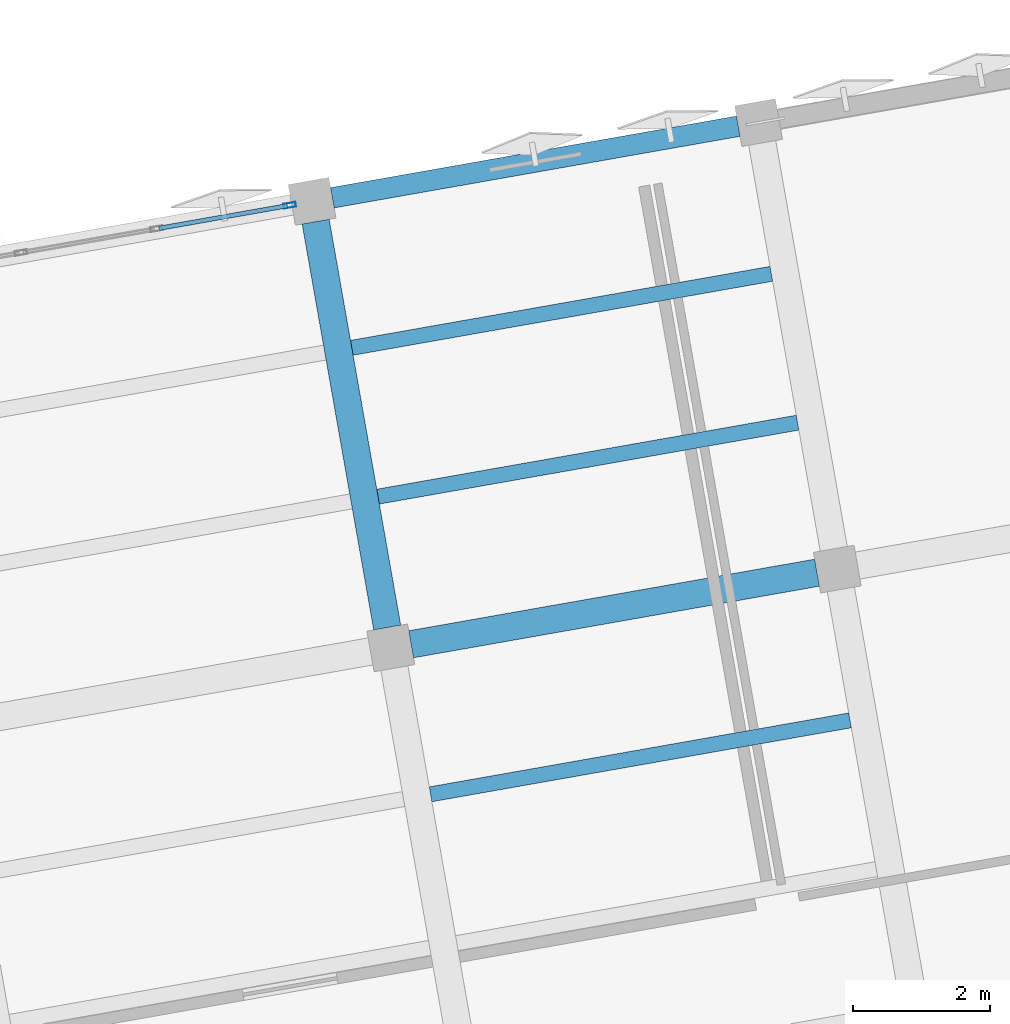
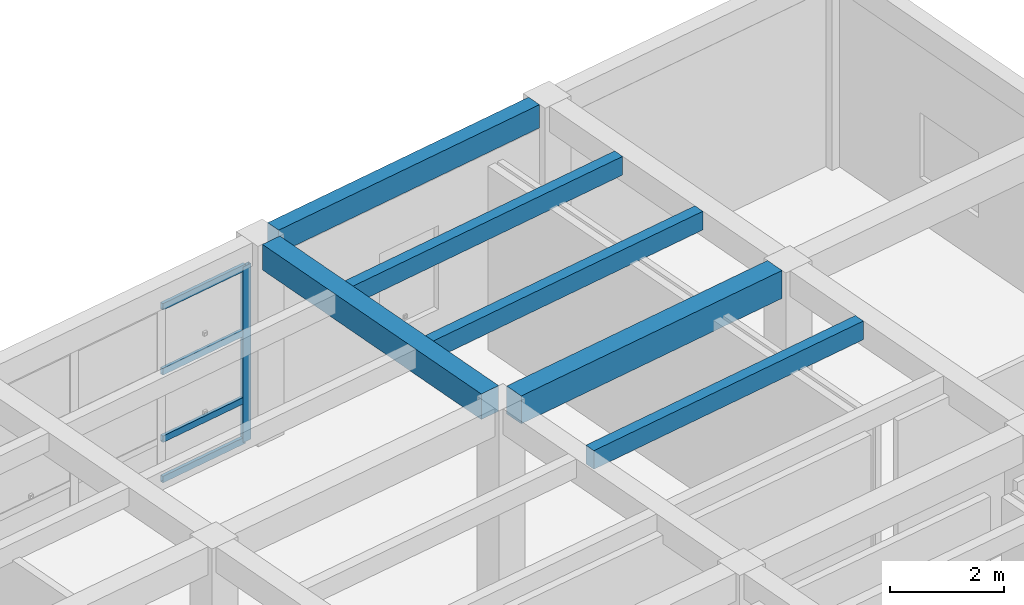
# One storey, part 8 of 29: 6 beams, 5 members, 1 element without a shape of its own.
"""IFC4 building model written with IfcOpenShell, lengths in metres."""

from ifc_helpers import new_model, si_unit, direction, frame, origin, origin_2d, place, context, subcontext, project, spatial, rectangle, hollow_rectangle, extrude, material, layer, layer_set, material_profile, profile_set, type_object, element, aggregate, save


model = new_model("IFC4")

# Units and contexts
model_context = context("Model", 3, precision=1e-05, world=origin(), true_north=direction((0.0, 1.0)))
body_context = subcontext(model_context, "Body", "Model", "MODEL_VIEW")
ifc_project = project(units=[si_unit("LENGTHUNIT", "METRE"), si_unit("AREAUNIT", "SQUARE_METRE"), si_unit("VOLUMEUNIT", "CUBIC_METRE"), si_unit("PLANEANGLEUNIT", "RADIAN"), si_unit("MASSUNIT", "GRAM", prefix="KILO")], contexts=[model_context])

# Site, building, storey
site_placement = place(None, origin())
site = spatial("IfcSite", under=ifc_project, at=site_placement, CompositionType="ELEMENT")
building_placement = place(site_placement, origin())
building = spatial("IfcBuilding", under=site, at=building_placement, Name="Kharisveld Research Institute", CompositionType="ELEMENT")
storey_placement = place(building_placement, frame((0.0, 0.0, 32.10009765625)))
storey = spatial("IfcBuildingStorey", under=building, at=storey_placement, Name="L07", CompositionType="ELEMENT", Elevation=32.10009765625)

# Beams
ifc_material_1 = material(Name="Concrete C40/50", Category="concrete")
ifc_material_profile_1 = material_profile(ifc_material_1, rectangle(XDim=0.39990234375, YDim=0.550048828125, at=origin_2d()))
ifc_profile_set_1 = profile_set([ifc_material_profile_1], Name="Concrete C40/50")
beam_type_1 = type_object("IfcBeamType", Name="BM_RC_400x550", PredefinedType="BEAM", material=ifc_profile_set_1)
beam_1_placement = place(storey_placement, frame((28.854736328125, 52.88916015625, 4.034912109375), z_axis=(-0.173662308598, 0.984805261243, 0.0), x_axis=(-0.984805261243, -0.173662308598, 0.0)))
element("IfcBeam", 1, at=beam_1_placement, inside=storey, type_object=beam_type_1, Name="BM:V1:L07:V4_2", PredefinedType="BEAM", context=body_context, shape_type="SweptSolid", body=[
    extrude(rectangle(XDim=0.39990234375, YDim=0.550048828125, at=origin_2d()), origin(), (0.0, 0.0, 1.0), 6.0),
])
ifc_material_2 = material(Name="Concrete C40/50", Category="concrete")
ifc_material_profile_2 = material_profile(ifc_material_2, rectangle(XDim=0.39990234375, YDim=0.60009765625, at=origin_2d()))
ifc_profile_set_2 = profile_set([ifc_material_profile_2], Name="Concrete C40/50")
beam_type_2 = type_object("IfcBeamType", Name="BM_RC_400x600", PredefinedType="BEAM", material=ifc_profile_set_2)
beam_2_placement = place(storey_placement, frame((29.2021484375, 52.645751953125, 4.010009765625), z_axis=(0.984805261243, 0.173662308598, 0.0), x_axis=(-0.173662308598, 0.984805261243, 0.0)))
element("IfcBeam", 2, at=beam_2_placement, inside=storey, type_object=beam_type_2, Name="BM:V1:L07:U4_2", PredefinedType="BEAM", context=body_context, shape_type="SweptSolid", body=[
    extrude(rectangle(XDim=0.39990234375, YDim=0.60009765625, at=origin_2d()), origin(), (0.0, 0.0, 1.0), 6.0),
])

# Curtain wall, members
ifc_material_3 = material(Name="Thermally Broken Aluminium Curtain Wall", Category="aluminium")
ifc_layer = layer(ifc_material_3, 0.159912109375)
ifc_layer_set = layer_set([ifc_layer], Name="CW_SYS_05")
curtain_wall_type = type_object("IfcCurtainWallType", Name="CW_SYS_05", PredefinedType="NOTDEFINED", material=ifc_layer_set)
curtain_wall_placement = place(storey_placement, origin())
curtain_wall = element("IfcCurtainWall", 3, at=curtain_wall_placement, inside=storey, type_object=curtain_wall_type, Name="CW:V1:L07:N3", PredefinedType="NOTDEFINED")
ifc_material_4 = material(Name="Anodised Aluminium AW-6063-T6", Category="aluminium")
ifc_material_profile_3 = material_profile(ifc_material_4, hollow_rectangle(XDim=0.070068359375, YDim=0.179931640625, WallThickness=0.00439453125, at=origin_2d()))
ifc_profile_set_3 = profile_set([ifc_material_profile_3], Name="Anodised Aluminium AW-6063-T6")
member_type_1 = type_object("IfcMemberType", Name="CW_MUL_180", PredefinedType="MULLION", material=ifc_profile_set_3)
member_1_placement = place(storey_placement, frame((27.435791015625, 59.0361328125, 0.0), z_axis=(0.0, 0.0, 1.0), x_axis=(-0.173648239132, 0.984807742174, 0.0)))
member_1 = element("IfcMember", 4, at=member_1_placement, type_object=member_type_1, Name="CW-05 mullion 4", PredefinedType="MULLION", context=body_context, shape_type="SweptSolid", body=[
    extrude(hollow_rectangle(XDim=0.070068359375, YDim=0.179931640625, WallThickness=0.00439453125, at=origin_2d()), origin(), (0.0, 0.0, 1.0), 3.77978515625),
])
ifc_material_5 = material(Name="Anodised Aluminium AW-6063-T6", Category="aluminium")
ifc_material_profile_4 = material_profile(ifc_material_5, hollow_rectangle(XDim=0.06494140625, YDim=0.139892578125, WallThickness=0.00390625, at=origin_2d()))
ifc_profile_set_4 = profile_set([ifc_material_profile_4], Name="Anodised Aluminium AW-6063-T6")
member_type_2 = type_object("IfcMemberType", Name="CW_TRN_140", PredefinedType="USERDEFINED", material=ifc_profile_set_4)
member_2_placement = place(storey_placement, frame((25.53173828125, 58.700439453125, 0.032470703125), z_axis=(0.984810737341, 0.173631251849, 0.0), x_axis=(-0.173631251849, 0.984810737341, 0.0)))
member_2 = element("IfcMember", 5, at=member_2_placement, type_object=member_type_2, Name="CW-05 transom 3.1", ObjectType="TRANSOM", PredefinedType="USERDEFINED", context=body_context, shape_type="SweptSolid", body=[
    extrude(hollow_rectangle(XDim=0.06494140625, YDim=0.139892578125, WallThickness=0.00390625, at=origin_2d()), origin(), (0.0, 0.0, 1.0), 1.898193359375),
])
member_3_placement = place(storey_placement, frame((25.53173828125, 58.700439453125, 0.89990234375), z_axis=(0.984810737341, 0.173631251849, 0.0), x_axis=(-0.173631251849, 0.984810737341, 0.0)))
member_3 = element("IfcMember", 6, at=member_3_placement, type_object=member_type_2, Name="CW-05 transom 3.2", ObjectType="TRANSOM", PredefinedType="USERDEFINED", context=body_context, shape_type="SweptSolid", body=[
    extrude(hollow_rectangle(XDim=0.06494140625, YDim=0.139892578125, WallThickness=0.00390625, at=origin_2d()), origin(), (0.0, 0.0, 1.0), 1.898193359375),
])
member_4_placement = place(storey_placement, frame((25.53173828125, 58.700439453125, 2.349853515625), z_axis=(0.984810737341, 0.173631251849, 0.0), x_axis=(-0.173631251849, 0.984810737341, 0.0)))
member_4 = element("IfcMember", 7, at=member_4_placement, type_object=member_type_2, Name="CW-05 transom 3.3", ObjectType="TRANSOM", PredefinedType="USERDEFINED", context=body_context, shape_type="SweptSolid", body=[
    extrude(hollow_rectangle(XDim=0.06494140625, YDim=0.139892578125, WallThickness=0.00390625, at=origin_2d()), origin(), (0.0, 0.0, 1.0), 1.898193359375),
])
member_5_placement = place(storey_placement, frame((25.53173828125, 58.700439453125, 3.747314453125), z_axis=(0.984810737341, 0.173631251849, 0.0), x_axis=(-0.173631251849, 0.984810737341, 0.0)))
member_5 = element("IfcMember", 8, at=member_5_placement, type_object=member_type_2, Name="CW-05 transom 3.4", ObjectType="TRANSOM", PredefinedType="USERDEFINED", context=body_context, shape_type="SweptSolid", body=[
    extrude(hollow_rectangle(XDim=0.06494140625, YDim=0.139892578125, WallThickness=0.00390625, at=origin_2d()), origin(), (0.0, 0.0, 1.0), 1.898193359375),
])
aggregate(curtain_wall, [member_1, member_2, member_3, member_4, member_5])

# Beams
ifc_material_6 = material(Name="Concrete C40/50", Category="concrete")
ifc_material_profile_5 = material_profile(ifc_material_6, rectangle(XDim=0.300048828125, YDim=0.5, at=origin_2d()))
ifc_profile_set_5 = profile_set([ifc_material_profile_5], Name="Concrete C40/50")
beam_type_3 = type_object("IfcBeamType", Name="SP_RC_300x500", PredefinedType="SPANDREL", material=ifc_profile_set_5)
beam_3_placement = place(storey_placement, frame((28.05615234375, 59.1455078125, 4.059814453125), z_axis=(0.984805261243, 0.173662308598, 0.0), x_axis=(-0.173662308598, 0.984805261243, 0.0)))
element("IfcBeam", 9, at=beam_3_placement, inside=storey, type_object=beam_type_3, Name="BM:V1:L07:U4_3", PredefinedType="SPANDREL", context=body_context, shape_type="SweptSolid", body=[
    extrude(rectangle(XDim=0.300048828125, YDim=0.5, at=origin_2d()), origin(), (0.0, 0.0, 1.0), 6.0),
])
ifc_material_7 = material(Name="Concrete C40/50", Category="concrete")
ifc_material_profile_6 = material_profile(ifc_material_7, rectangle(XDim=0.219970703125, YDim=0.39990234375, at=origin_2d()))
ifc_profile_set_6 = profile_set([ifc_material_profile_6], Name="Concrete C40/50")
beam_type_4 = type_object("IfcBeamType", Name="WB_RC_220x400", PredefinedType="JOIST", material=ifc_profile_set_6)
for number, where, z_axis, x_axis, name in (
    (10, (29.48583984375, 50.4619140625, 4.10986328125), (0.984806146634, 0.173657287643, 0.0), (-0.173657287643, 0.984806146634, 0.0), "BM:V1:L07:J_4_1_R2"),
    (11, (28.7216796875, 54.795166015625, 4.10986328125), (0.984812880329, 0.1736190967, 0.0), (-0.1736190967, 0.984812880329, 0.0), "BM:V1:L07:J_4_2_R1"),
):
    element("IfcBeam", number, at=place(storey_placement, frame(where, z_axis=z_axis, x_axis=x_axis)), inside=storey, type_object=beam_type_4, Name=name, PredefinedType="JOIST", context=body_context, shape_type="SweptSolid", body=[
        extrude(rectangle(XDim=0.219970703125, YDim=0.39990234375, at=origin_2d()), origin(), (0.0, 0.0, 1.0), 6.199951171875),
    ])
beam_4_placement = place(storey_placement, frame((28.339599609375, 56.961669921875, 4.10986328125), z_axis=(0.984807334084, 0.173650553511, 0.0), x_axis=(-0.173650553511, 0.984807334084, 0.0)))
element("IfcBeam", 12, at=beam_4_placement, inside=storey, type_object=beam_type_4, Name="BM:V1:L07:J_4_2_R2", PredefinedType="JOIST", context=body_context, shape_type="SweptSolid", body=[
    extrude(rectangle(XDim=0.219970703125, YDim=0.39990234375, at=origin_2d()), origin(), (0.0, 0.0, 1.0), 6.2001953125),
])

save(model, "model.ifc")
